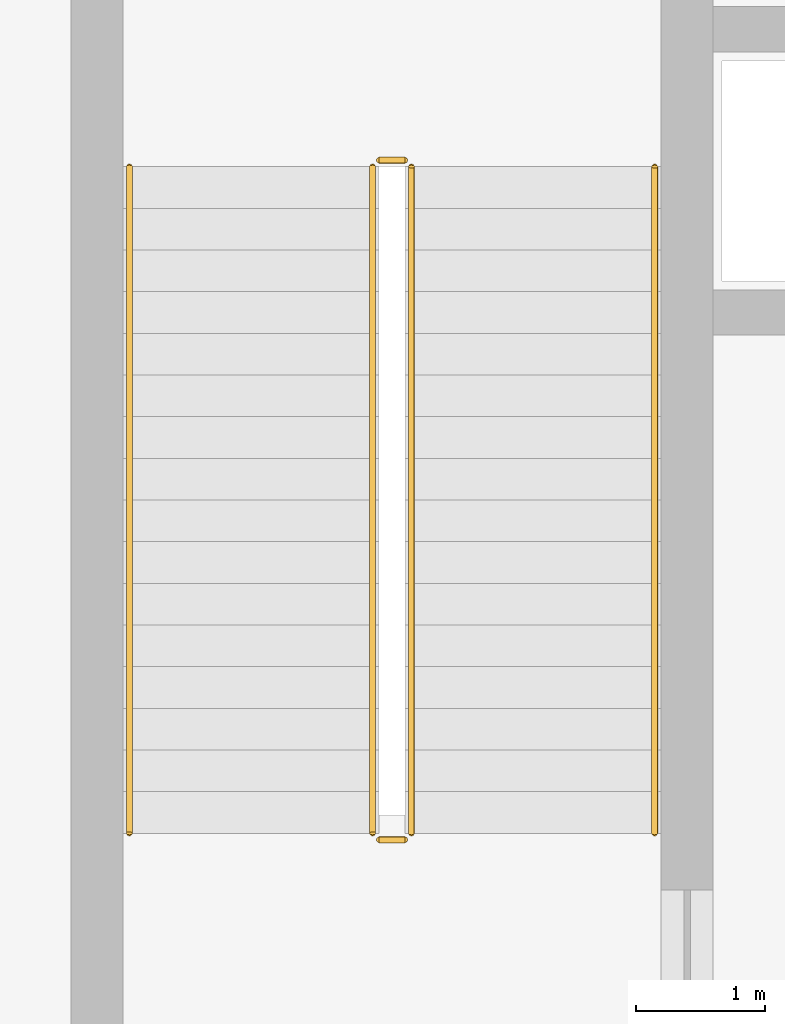
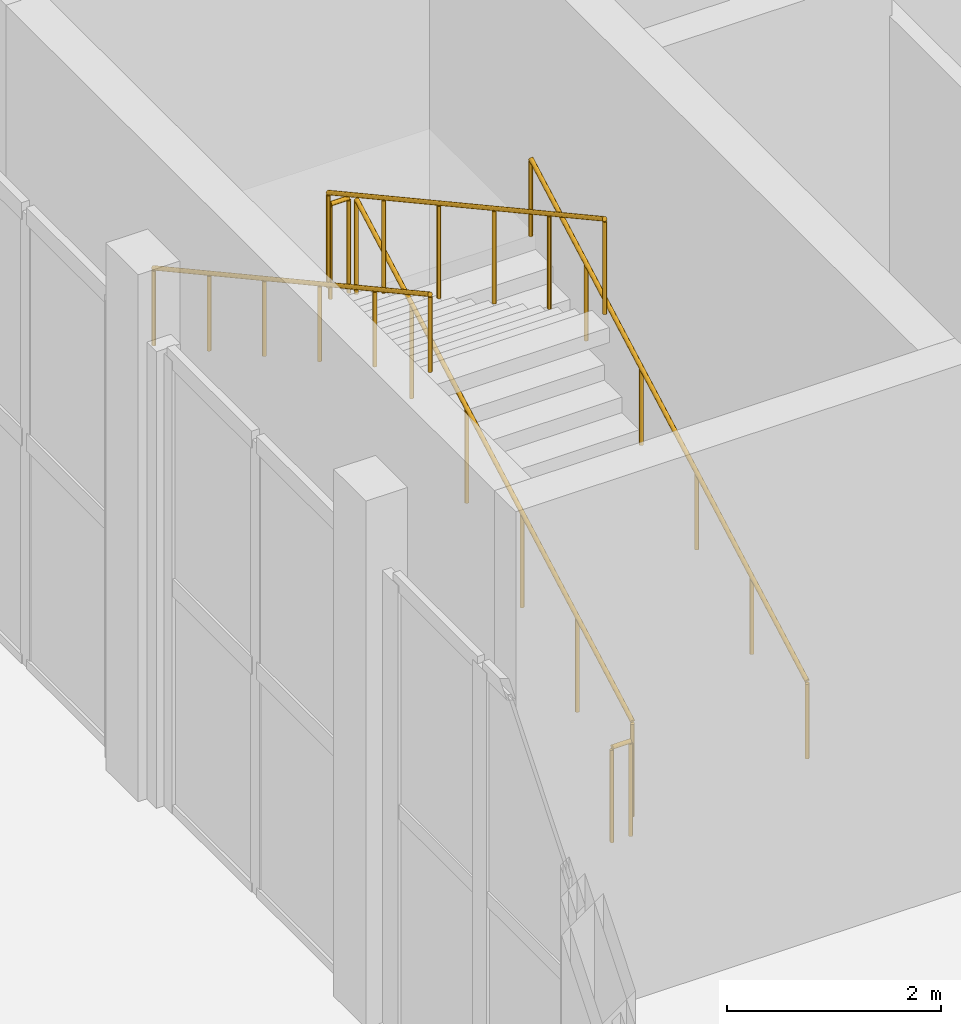
# One storey, part 77 of 84: 6 railings.
"""IFC4 building model written with IfcOpenShell, lengths in metres."""

from ifc_helpers import new_model, si_unit, direction, frame, origin, origin_2d, place, context, subcontext, project, spatial, circle, extrude, material, type_object, element, save


model = new_model("IFC4")

# Units and contexts
model_context = context("Model", 3, precision=1e-05, world=origin(), true_north=direction((0.0, 1.0)))
body_context = subcontext(model_context, "Body", "Model", "MODEL_VIEW")
ifc_project = project(units=[si_unit("LENGTHUNIT", "METRE"), si_unit("AREAUNIT", "SQUARE_METRE"), si_unit("VOLUMEUNIT", "CUBIC_METRE"), si_unit("PLANEANGLEUNIT", "RADIAN"), si_unit("MASSUNIT", "GRAM", prefix="KILO")], contexts=[model_context])

# Site, building, storey
site_placement = place(None, origin())
site = spatial("IfcSite", under=ifc_project, at=site_placement, CompositionType="ELEMENT")
building_placement = place(site_placement, origin())
building = spatial("IfcBuilding", under=site, at=building_placement, Name="Sefraquen Railside Congress Hotel", CompositionType="ELEMENT")
storey_placement = place(building_placement, origin())
storey = spatial("IfcBuildingStorey", under=building, at=storey_placement, Name="L00", CompositionType="ELEMENT", Elevation=0.0)

# Railings
ifc_material = material(Name="Patinated wrought architectural bronze", Category="metal")
railing_type_1 = type_object("IfcRailingType", Name="TRL-BAL-110", PredefinedType="BALUSTRADE", material=ifc_material)
railing_1_placement = place(storey_placement, frame((106.72998046875, 80.72998046875, 0.176513671875)))
element("IfcRailing", 1, at=railing_1_placement, inside=storey, type_object=railing_type_1, Name="L00 ST-M01 stair guard 1", PredefinedType="BALUSTRADE", context=body_context, shape_type="SweptSolid", body=[
    extrude(circle(Radius=0.02392578125, at=origin_2d()), frame((0.0, 0.0, 1.076171875), z_axis=(0.0, 0.876945751477, 0.480589376668), x_axis=(-1.0, 0.0, 0.0)), (0.0, 0.0, 1.0), 5.875),
    extrude(circle(Radius=0.02099609375, at=origin_2d()), origin(), (0.0, 0.0, 1.0), 1.052001953125),
    extrude(circle(Radius=0.02099609375, at=origin_2d()), frame((0.0, 1.030517578125, 0.564697265625)), (0.0, 0.0, 1.0), 1.052001953125),
    extrude(circle(Radius=0.02099609375, at=origin_2d()), frame((0.0, 2.060791015625, 1.12939453125)), (0.0, 0.0, 1.0), 1.052001953125),
    extrude(circle(Radius=0.02099609375, at=origin_2d()), frame((0.0, 3.09130859375, 1.694091796875)), (0.0, 0.0, 1.0), 1.052001953125),
    extrude(circle(Radius=0.02099609375, at=origin_2d()), frame((0.0, 4.12158203125, 2.2587890625)), (0.0, 0.0, 1.0), 1.052001953125),
    extrude(circle(Radius=0.02099609375, at=origin_2d()), frame((0.0, 5.152099609375, 2.823486328125)), (0.0, 0.0, 1.0), 1.052001953125),
])
railing_2_placement = place(storey_placement, frame((106.679931640625, 85.931884765625, 3.0)))
element("IfcRailing", 2, at=railing_2_placement, inside=storey, type_object=railing_type_1, Name="L00 ST-M01 stair guard 2", PredefinedType="BALUSTRADE", context=body_context, shape_type="SweptSolid", body=[
    extrude(circle(Radius=0.02392578125, at=origin_2d()), frame((0.0, 0.0, 1.076171875), z_axis=(-1.0, 0.0, 0.0), x_axis=(0.0, -1.0, 0.0)), (0.0, 0.0, 1.0), 0.199951171875),
    extrude(circle(Radius=0.02099609375, at=origin_2d()), origin(), (0.0, 0.0, 1.0), 1.052001953125),
    extrude(circle(Radius=0.02099609375, at=origin_2d()), frame((-0.199951171875, 0.0, 0.0)), (0.0, 0.0, 1.0), 1.052001953125),
])
railing_3_placement = place(storey_placement, frame((106.429931640625, 85.882080078125, 3.176513671875)))
element("IfcRailing", 3, at=railing_3_placement, inside=storey, type_object=railing_type_1, Name="L00 ST-M01 stair guard 3", PredefinedType="BALUSTRADE", context=body_context, shape_type="SweptSolid", body=[
    extrude(circle(Radius=0.02392578125, at=origin_2d()), frame((0.0, 0.0, 1.076171875), z_axis=(0.0, -0.876945751477, 0.480589376668), x_axis=(1.0, 0.0, 0.0)), (0.0, 0.0, 1.0), 5.875),
    extrude(circle(Radius=0.02099609375, at=origin_2d()), origin(), (0.0, 0.0, 1.0), 1.052001953125),
    extrude(circle(Radius=0.02099609375, at=origin_2d()), frame((0.0, -1.030517578125, 0.564697265625)), (0.0, 0.0, 1.0), 1.052001953125),
    extrude(circle(Radius=0.02099609375, at=origin_2d()), frame((0.0, -2.060791015625, 1.12939453125)), (0.0, 0.0, 1.0), 1.052001953125),
    extrude(circle(Radius=0.02099609375, at=origin_2d()), frame((0.0, -3.09130859375, 1.694091796875)), (0.0, 0.0, 1.0), 1.052001953125),
    extrude(circle(Radius=0.02099609375, at=origin_2d()), frame((0.0, -4.12158203125, 2.2587890625)), (0.0, 0.0, 1.0), 1.052001953125),
    extrude(circle(Radius=0.02099609375, at=origin_2d()), frame((0.0, -5.152099609375, 2.823486328125)), (0.0, 0.0, 1.0), 1.052001953125),
])
railing_4_placement = place(storey_placement, frame((106.679931640625, 80.679931640625, 0.0)))
element("IfcRailing", 4, at=railing_4_placement, inside=storey, type_object=railing_type_1, Name="L00 ST-M01 stair guard 4", PredefinedType="BALUSTRADE", context=body_context, shape_type="SweptSolid", body=[
    extrude(circle(Radius=0.02392578125, at=origin_2d()), frame((0.0, 0.0, 1.076171875), z_axis=(-1.0, 0.0, 0.0), x_axis=(0.0, -1.0, 0.0)), (0.0, 0.0, 1.0), 0.199951171875),
    extrude(circle(Radius=0.02099609375, at=origin_2d()), origin(), (0.0, 0.0, 1.0), 1.052001953125),
    extrude(circle(Radius=0.02099609375, at=origin_2d()), frame((-0.199951171875, 0.0, 0.0)), (0.0, 0.0, 1.0), 1.052001953125),
])
railing_type_2 = type_object("IfcRailingType", Name="TRL-HR-090", PredefinedType="HANDRAIL", material=ifc_material)
railing_5_placement = place(storey_placement, frame((108.610107421875, 80.72998046875, 0.176513671875)))
element("IfcRailing", 5, at=railing_5_placement, inside=storey, type_object=railing_type_2, Name="L00 ST-M01 stair handrail 1", PredefinedType="HANDRAIL", context=body_context, shape_type="SweptSolid", body=[
    extrude(circle(Radius=0.02392578125, at=origin_2d()), frame((0.0, 0.0, 0.8759765625), z_axis=(0.0, 0.876945751477, 0.480589376668), x_axis=(-1.0, 0.0, 0.0)), (0.0, 0.0, 1.0), 5.875),
    extrude(circle(Radius=0.02099609375, at=origin_2d()), origin(), (0.0, 0.0, 1.0), 0.851806640625),
    extrude(circle(Radius=0.02099609375, at=origin_2d()), frame((0.0, 1.030517578125, 0.564697265625)), (0.0, 0.0, 1.0), 0.851806640625),
    extrude(circle(Radius=0.02099609375, at=origin_2d()), frame((0.0, 2.060791015625, 1.12939453125)), (0.0, 0.0, 1.0), 0.851806640625),
    extrude(circle(Radius=0.02099609375, at=origin_2d()), frame((0.0, 3.09130859375, 1.694091796875)), (0.0, 0.0, 1.0), 0.851806640625),
    extrude(circle(Radius=0.02099609375, at=origin_2d()), frame((0.0, 4.12158203125, 2.2587890625)), (0.0, 0.0, 1.0), 0.851806640625),
    extrude(circle(Radius=0.02099609375, at=origin_2d()), frame((0.0, 5.152099609375, 2.823486328125)), (0.0, 0.0, 1.0), 0.851806640625),
])
railing_6_placement = place(storey_placement, frame((104.550048828125, 85.882080078125, 3.176513671875)))
element("IfcRailing", 6, at=railing_6_placement, inside=storey, type_object=railing_type_2, Name="L00 ST-M01 stair handrail 2", PredefinedType="HANDRAIL", context=body_context, shape_type="SweptSolid", body=[
    extrude(circle(Radius=0.02392578125, at=origin_2d()), frame((0.0, 0.0, 0.8759765625), z_axis=(0.0, -0.876945751477, 0.480589376668), x_axis=(1.0, 0.0, 0.0)), (0.0, 0.0, 1.0), 5.875),
    extrude(circle(Radius=0.02099609375, at=origin_2d()), origin(), (0.0, 0.0, 1.0), 0.851806640625),
    extrude(circle(Radius=0.02099609375, at=origin_2d()), frame((0.0, -1.030517578125, 0.564697265625)), (0.0, 0.0, 1.0), 0.851806640625),
    extrude(circle(Radius=0.02099609375, at=origin_2d()), frame((0.0, -2.060791015625, 1.12939453125)), (0.0, 0.0, 1.0), 0.851806640625),
    extrude(circle(Radius=0.02099609375, at=origin_2d()), frame((0.0, -3.09130859375, 1.694091796875)), (0.0, 0.0, 1.0), 0.851806640625),
    extrude(circle(Radius=0.02099609375, at=origin_2d()), frame((0.0, -4.12158203125, 2.2587890625)), (0.0, 0.0, 1.0), 0.851806640625),
    extrude(circle(Radius=0.02099609375, at=origin_2d()), frame((0.0, -5.152099609375, 2.823486328125)), (0.0, 0.0, 1.0), 0.851806640625),
])

save(model, "model.ifc")
